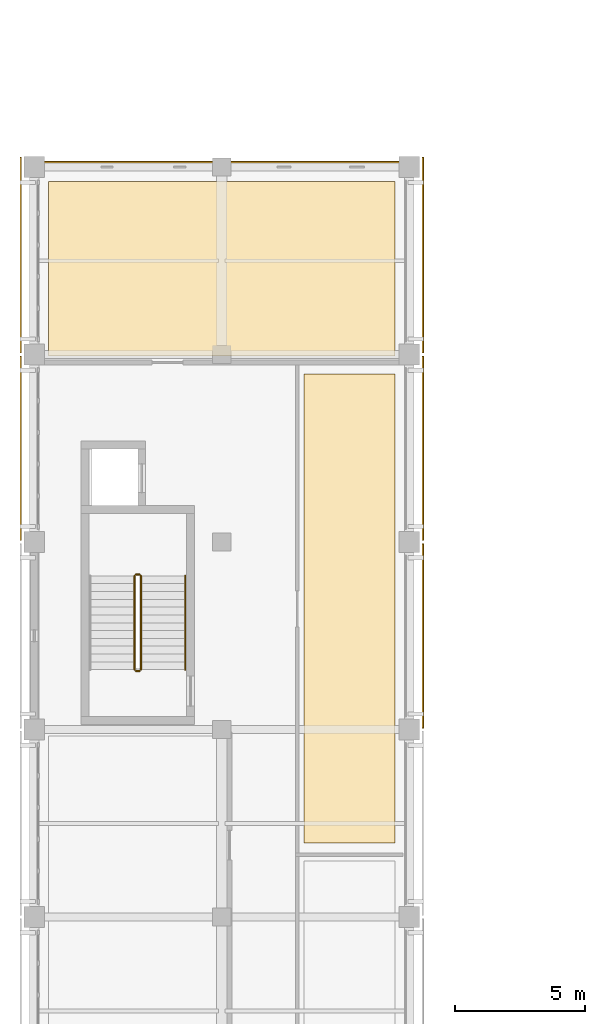
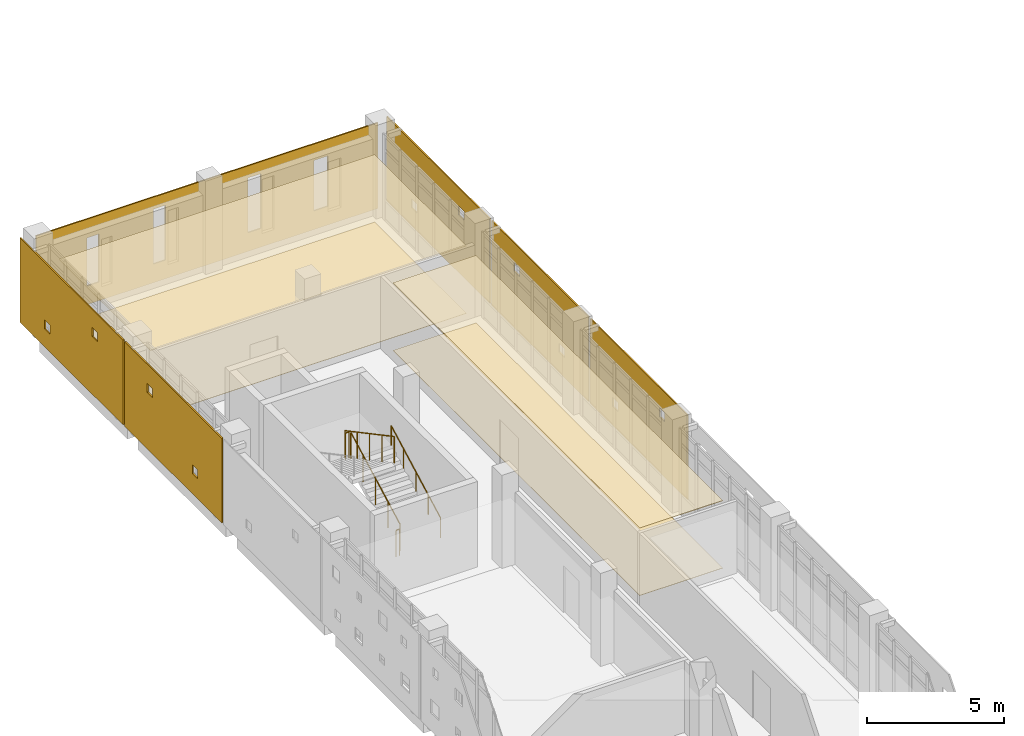
# One storey, part 32 of 33: 10 coverings, 5 railings.
"""IFC4 building model written with IfcOpenShell, lengths in metres."""

from ifc_helpers import new_model, si_unit, direction, frame, origin, origin_2d, place, context, subcontext, project, spatial, polyline, circle, outline, extrude, material, layer, layer_set, type_object, element, save


model = new_model("IFC4")

# Units and contexts
model_context = context("Model", 3, precision=1e-05, world=origin(), true_north=direction((0.0, 1.0)))
body_context = subcontext(model_context, "Body", "Model", "MODEL_VIEW")
ifc_project = project(units=[si_unit("LENGTHUNIT", "METRE"), si_unit("AREAUNIT", "SQUARE_METRE"), si_unit("VOLUMEUNIT", "CUBIC_METRE"), si_unit("PLANEANGLEUNIT", "RADIAN"), si_unit("MASSUNIT", "GRAM", prefix="KILO")], contexts=[model_context])

# Site, building, storey
site_placement = place(None, origin())
site = spatial("IfcSite", under=ifc_project, at=site_placement, CompositionType="ELEMENT")
building_placement = place(site_placement, origin())
building = spatial("IfcBuilding", under=site, at=building_placement, Name="Valkovuoma Quantum and Materials Research Institute", CompositionType="ELEMENT")
storey_placement = place(building_placement, frame((0.0, 0.0, 25.60009765625)))
storey = spatial("IfcBuildingStorey", under=building, at=storey_placement, Name="L06", CompositionType="ELEMENT", Elevation=25.60009765625)

# Coverings
ifc_material_1 = material(Name="Cleanable acoustic mineral-fibre suspended ceiling", Category="masonry")
ifc_layer_1 = layer(ifc_material_1, 0.02490234375)
ifc_layer_set_1 = layer_set([ifc_layer_1], Name="Cleanable acoustic mineral-fibre suspended ceiling")
covering_type_1 = type_object("IfcCoveringType", Name="Cov-CEIL-01", PredefinedType="CEILING", material=ifc_layer_set_1)
covering_1_placement = place(storey_placement, frame((0.0, 0.0, 3.0)))
element("IfcCovering", 1, at=covering_1_placement, inside=storey, type_object=covering_type_1, Name="L06 acoustic ceiling 0136", PredefinedType="CEILING", context=body_context, shape_type="SweptSolid", body=[
    extrude(outline(polyline([(0.550048828125, 86.35009765625), (13.85009765625, 86.35009765625), (13.85009765625, 93.050048828125), (0.550048828125, 93.050048828125), (0.550048828125, 86.35009765625)])), origin(), (0.0, 0.0, 1.0), 0.02490234375),
])
covering_2_placement = place(storey_placement, frame((0.0, 0.0, 3.0)))
element("IfcCovering", 2, at=covering_2_placement, inside=storey, type_object=covering_type_1, Name="L06 acoustic ceiling 0140", PredefinedType="CEILING", context=body_context, shape_type="SweptSolid", body=[
    extrude(outline(polyline([(10.35009765625, 67.64990234375), (13.85009765625, 67.64990234375), (13.85009765625, 85.64990234375), (10.35009765625, 85.64990234375), (10.35009765625, 67.64990234375)])), origin(), (0.0, 0.0, 1.0), 0.02490234375),
])
ifc_material_2 = material(Name="Seamless dissipative laboratory resin flooring", Category="masonry")
ifc_layer_2 = layer(ifc_material_2, 0.014892578125)
ifc_layer_set_2 = layer_set([ifc_layer_2], Name="Seamless dissipative laboratory resin flooring")
covering_type_2 = type_object("IfcCoveringType", Name="Cov-FLOR-01", PredefinedType="FLOORING", material=ifc_layer_set_2)
covering_3_placement = place(storey_placement, origin())
element("IfcCovering", 3, at=covering_3_placement, inside=storey, type_object=covering_type_2, Name="L06 resin flooring 0136", PredefinedType="FLOORING", context=body_context, shape_type="SweptSolid", body=[
    extrude(outline(polyline([(0.550048828125, 86.35009765625), (13.85009765625, 86.35009765625), (13.85009765625, 93.050048828125), (0.550048828125, 93.050048828125), (0.550048828125, 86.35009765625)])), origin(), (0.0, 0.0, 1.0), 0.014892578125),
])
covering_4_placement = place(storey_placement, origin())
element("IfcCovering", 4, at=covering_4_placement, inside=storey, type_object=covering_type_2, Name="L06 resin flooring 0140", PredefinedType="FLOORING", context=body_context, shape_type="SweptSolid", body=[
    extrude(outline(polyline([(10.35009765625, 67.64990234375), (13.85009765625, 67.64990234375), (13.85009765625, 85.64990234375), (10.35009765625, 85.64990234375), (10.35009765625, 67.64990234375)])), origin(), (0.0, 0.0, 1.0), 0.014892578125),
])
ifc_material_3 = material(Name="White powder-coated aluminium architectural panel", Category="aluminium")
ifc_layer_3 = layer(ifc_material_3, 0.054931640625)
ifc_layer_set_3 = layer_set([ifc_layer_3], Name="White powder-coated aluminium architectural panel")
covering_type_3 = type_object("IfcCoveringType", Name="Cov-PERF-SPARSE", PredefinedType="CLADDING", material=ifc_layer_set_3)
covering_5_placement = place(storey_placement, frame((14.919921875, 72.06005859375, 0.02001953125), z_axis=(0.0, 0.0, 1.0), x_axis=(0.0, 1.0, 0.0)))
element("IfcCovering", 5, at=covering_5_placement, inside=storey, type_object=covering_type_3, Name="L06 graduated perforated white screen E-0091", PredefinedType="CLADDING", context=body_context, shape_type="SweptSolid", body=[
    extrude(outline(polyline([(0.0, 0.0), (7.079833984375, 0.0), (7.079833984375, 3.769775390625), (0.0, 3.769775390625), (0.0, 0.0)]), holes=[polyline([(1.635009765625, 2.467529296875), (1.635009765625, 2.867431640625), (2.034912109375, 2.867431640625), (2.034912109375, 2.467529296875), (1.635009765625, 2.467529296875)]), polyline([(5.044921875, 0.8525390625), (5.044921875, 1.25244140625), (5.445068359375, 1.25244140625), (5.445068359375, 0.8525390625), (5.044921875, 0.8525390625)])]), frame((0.0, 0.02734375, 0.0), z_axis=(0.0, -1.0, 0.0), x_axis=(1.0, 0.0, 0.0)), (0.0, 0.0, 1.0), 0.054931640625),
])
for number, where, z_axis, x_axis, name in (
    (6, (-0.52001953125, 79.260009765625, 0.02001953125), (0.0, 0.0, 1.0), (0.0, 1.0, 0.0), "L06 graduated perforated white screen W-0092"),
    (7, (14.919921875, 79.260009765625, 0.02001953125), (0.0, 0.0, 1.0), (0.0, 1.0, 0.0), "L06 graduated perforated white screen E-0093"),
):
    element("IfcCovering", number, at=place(storey_placement, frame(where, z_axis=z_axis, x_axis=x_axis)), inside=storey, type_object=covering_type_3, Name=name, PredefinedType="CLADDING", context=body_context, shape_type="SweptSolid", body=[
        extrude(outline(polyline([(0.0, 0.0), (7.080078125, 0.0), (7.080078125, 3.769775390625), (0.0, 3.769775390625), (0.0, 0.0)]), holes=[polyline([(1.7548828125, 0.902587890625), (1.7548828125, 1.302490234375), (2.155029296875, 1.302490234375), (2.155029296875, 0.902587890625), (1.7548828125, 0.902587890625)]), polyline([(5.044921875, 2.517578125), (5.044921875, 2.91748046875), (5.445068359375, 2.91748046875), (5.445068359375, 2.517578125), (5.044921875, 2.517578125)])]), frame((0.0, 0.02734375, 0.0), z_axis=(0.0, -1.0, 0.0), x_axis=(1.0, 0.0, 0.0)), (0.0, 0.0, 1.0), 0.054931640625),
    ])
for number, where, z_axis, x_axis, name in (
    (8, (-0.52001953125, 86.4599609375, 0.02001953125), (0.0, 0.0, 1.0), (0.0, 1.0, 0.0), "L06 graduated perforated white screen W-0094"),
    (9, (14.919921875, 86.4599609375, 0.02001953125), (0.0, 0.0, 1.0), (0.0, 1.0, 0.0), "L06 graduated perforated white screen E-0095"),
):
    element("IfcCovering", number, at=place(storey_placement, frame(where, z_axis=z_axis, x_axis=x_axis)), inside=storey, type_object=covering_type_3, Name=name, PredefinedType="CLADDING", context=body_context, shape_type="SweptSolid", body=[
        extrude(outline(polyline([(0.0, 0.0), (7.52001953125, 0.0), (7.52001953125, 3.769775390625), (0.0, 3.769775390625), (0.0, 0.0)]), holes=[polyline([(1.864990234375, 2.5673828125), (1.864990234375, 2.967529296875), (2.264892578125, 2.967529296875), (2.264892578125, 2.5673828125), (1.864990234375, 2.5673828125)]), polyline([(5.31494140625, 0.802490234375), (5.31494140625, 1.202392578125), (5.715087890625, 1.202392578125), (5.715087890625, 0.802490234375), (5.31494140625, 0.802490234375)])]), frame((0.0, 0.02734375, 0.0), z_axis=(0.0, -1.0, 0.0), x_axis=(1.0, 0.0, 0.0)), (0.0, 0.0, 1.0), 0.054931640625),
    ])
ifc_material_4 = material(Name="White powder-coated aluminium architectural panel", Category="aluminium")
ifc_layer_4 = layer(ifc_material_4, 0.054931640625)
ifc_layer_set_4 = layer_set([ifc_layer_4], Name="White powder-coated aluminium architectural panel")
covering_type_4 = type_object("IfcCoveringType", Name="Cov-WHITE-01", PredefinedType="CLADDING", material=ifc_layer_set_4)
covering_6_placement = place(storey_placement, frame((0.0, 93.78759765625, 0.0), z_axis=(0.0, 0.0, 1.0), x_axis=(1.0, 0.0, 0.0)))
element("IfcCovering", 10, at=covering_6_placement, inside=storey, type_object=covering_type_4, Name="L06 north white slot-window end skin", PredefinedType="CLADDING", context=body_context, shape_type="SweptSolid", body=[
    extrude(outline(polyline([(0.0, 0.0), (14.39990234375, 0.0), (14.39990234375, 3.809814453125), (0.0, 3.809814453125), (0.0, 0.0)]), holes=[polyline([(2.155029296875, 0.830078125), (2.155029296875, 2.969970703125), (2.64501953125, 2.969970703125), (2.64501953125, 0.830078125), (2.155029296875, 0.830078125)]), polyline([(4.955078125, 0.830078125), (4.955078125, 3.27001953125), (5.445068359375, 3.27001953125), (5.445068359375, 0.830078125), (4.955078125, 0.830078125)]), polyline([(8.929931640625, 0.830078125), (8.929931640625, 3.27001953125), (9.469970703125, 3.27001953125), (9.469970703125, 0.830078125), (8.929931640625, 0.830078125)]), polyline([(11.705078125, 0.830078125), (11.705078125, 3.070068359375), (12.294921875, 3.070068359375), (12.294921875, 0.830078125), (11.705078125, 0.830078125)])]), frame((0.0, 0.02734375, 0.0), z_axis=(0.0, -1.0, 0.0), x_axis=(1.0, 0.0, 0.0)), (0.0, 0.0, 1.0), 0.054931640625),
])

# Railings
ifc_material_5 = material(Name="Painted steel stair balustrade", Category="steel")
railing_type_1 = type_object("IfcRailingType", Name="Rail-GRD-ST", PredefinedType="BALUSTRADE", material=ifc_material_5)
railing_1_placement = place(storey_placement, frame((4.10009765625, 74.300048828125, 0.159912109375)))
element("IfcRailing", 11, at=railing_1_placement, inside=storey, type_object=railing_type_1, Name="L06 ST-2 stair guard 1", PredefinedType="BALUSTRADE", context=body_context, shape_type="SweptSolid", body=[
    extrude(circle(Radius=0.02392578125, at=origin_2d()), frame((0.0, 0.0, 1.17578125), z_axis=(0.0, 0.882352941176, 0.470588235294), x_axis=(-1.0, 0.0, 0.0)), (0.0, 0.0, 1.0), 4.079833984375),
    extrude(circle(Radius=0.02099609375, at=origin_2d()), origin(), (0.0, 0.0, 1.0), 1.15185546875),
    extrude(circle(Radius=0.02099609375, at=origin_2d()), frame((0.0, 0.89990234375, 0.47998046875)), (0.0, 0.0, 1.0), 1.15185546875),
    extrude(circle(Radius=0.02099609375, at=origin_2d()), frame((0.0, 1.7998046875, 0.9599609375)), (0.0, 0.0, 1.0), 1.15185546875),
    extrude(circle(Radius=0.02099609375, at=origin_2d()), frame((0.0, 2.699951171875, 1.43994140625)), (0.0, 0.0, 1.0), 1.15185546875),
    extrude(circle(Radius=0.02099609375, at=origin_2d()), frame((0.0, 3.599853515625, 1.919921875)), (0.0, 0.0, 1.0), 1.15185546875),
])
railing_2_placement = place(storey_placement, frame((4.050048828125, 77.949951171875, 2.079833984375)))
element("IfcRailing", 12, at=railing_2_placement, inside=storey, type_object=railing_type_1, Name="L06 ST-2 stair guard 2", PredefinedType="BALUSTRADE", context=body_context, shape_type="SweptSolid", body=[
    extrude(circle(Radius=0.02392578125, at=origin_2d()), frame((0.0, 0.0, 1.17578125), z_axis=(-1.0, 0.0, 0.0), x_axis=(0.0, -1.0, 0.0)), (0.0, 0.0, 1.0), 0.150146484375),
    extrude(circle(Radius=0.02099609375, at=origin_2d()), origin(), (0.0, 0.0, 1.0), 1.15185546875),
    extrude(circle(Radius=0.02099609375, at=origin_2d()), frame((-0.150146484375, 0.0, 0.0)), (0.0, 0.0, 1.0), 1.15185546875),
])
railing_3_placement = place(storey_placement, frame((3.85009765625, 77.89990234375, 2.239990234375)))
element("IfcRailing", 13, at=railing_3_placement, inside=storey, type_object=railing_type_1, Name="L06 ST-2 stair guard 3", PredefinedType="BALUSTRADE", context=body_context, shape_type="SweptSolid", body=[
    extrude(circle(Radius=0.02392578125, at=origin_2d()), frame((0.0, 0.0, 1.17578125), z_axis=(0.0, -0.882352941176, 0.470588235294), x_axis=(1.0, 0.0, 0.0)), (0.0, 0.0, 1.0), 4.079833984375),
    extrude(circle(Radius=0.02099609375, at=origin_2d()), origin(), (0.0, 0.0, 1.0), 1.15185546875),
    extrude(circle(Radius=0.02099609375, at=origin_2d()), frame((0.0, -0.89990234375, 0.47998046875)), (0.0, 0.0, 1.0), 1.15185546875),
    extrude(circle(Radius=0.02099609375, at=origin_2d()), frame((0.0, -1.7998046875, 0.9599609375)), (0.0, 0.0, 1.0), 1.15185546875),
    extrude(circle(Radius=0.02099609375, at=origin_2d()), frame((0.0, -2.699951171875, 1.43994140625)), (0.0, 0.0, 1.0), 1.15185546875),
    extrude(circle(Radius=0.02099609375, at=origin_2d()), frame((0.0, -3.599853515625, 1.919921875)), (0.0, 0.0, 1.0), 1.15185546875),
])
railing_4_placement = place(storey_placement, frame((4.050048828125, 74.25, 0.0)))
element("IfcRailing", 14, at=railing_4_placement, inside=storey, type_object=railing_type_1, Name="L06 ST-2 stair guard 4", PredefinedType="BALUSTRADE", context=body_context, shape_type="SweptSolid", body=[
    extrude(circle(Radius=0.02392578125, at=origin_2d()), frame((0.0, 0.0, 1.17578125), z_axis=(-1.0, 0.0, 0.0), x_axis=(0.0, -1.0, 0.0)), (0.0, 0.0, 1.0), 0.150146484375),
    extrude(circle(Radius=0.02099609375, at=origin_2d()), origin(), (0.0, 0.0, 1.0), 1.15185546875),
    extrude(circle(Radius=0.02099609375, at=origin_2d()), frame((-0.150146484375, 0.0, 0.0)), (0.0, 0.0, 1.0), 1.15185546875),
])
ifc_material_6 = material(Name="Brushed stainless steel handrail", Category="steel")
railing_type_2 = type_object("IfcRailingType", Name="Rail-HR-ST", PredefinedType="HANDRAIL", material=ifc_material_6)
railing_5_placement = place(storey_placement, frame((5.800048828125, 74.300048828125, 0.159912109375)))
element("IfcRailing", 15, at=railing_5_placement, inside=storey, type_object=railing_type_2, Name="L06 ST-2 stair handrail 1", PredefinedType="HANDRAIL", context=body_context, shape_type="SweptSolid", body=[
    extrude(circle(Radius=0.02392578125, at=origin_2d()), frame((0.0, 0.0, 0.8759765625), z_axis=(0.0, 0.882352941176, 0.470588235294), x_axis=(-1.0, 0.0, 0.0)), (0.0, 0.0, 1.0), 4.079833984375),
    extrude(circle(Radius=0.02099609375, at=origin_2d()), origin(), (0.0, 0.0, 1.0), 0.851806640625),
    extrude(circle(Radius=0.02099609375, at=origin_2d()), frame((0.0, 0.89990234375, 0.47998046875)), (0.0, 0.0, 1.0), 0.851806640625),
    extrude(circle(Radius=0.02099609375, at=origin_2d()), frame((0.0, 1.7998046875, 0.9599609375)), (0.0, 0.0, 1.0), 0.851806640625),
    extrude(circle(Radius=0.02099609375, at=origin_2d()), frame((0.0, 2.699951171875, 1.43994140625)), (0.0, 0.0, 1.0), 0.851806640625),
    extrude(circle(Radius=0.02099609375, at=origin_2d()), frame((0.0, 3.599853515625, 1.919921875)), (0.0, 0.0, 1.0), 0.851806640625),
])

save(model, "model.ifc")
